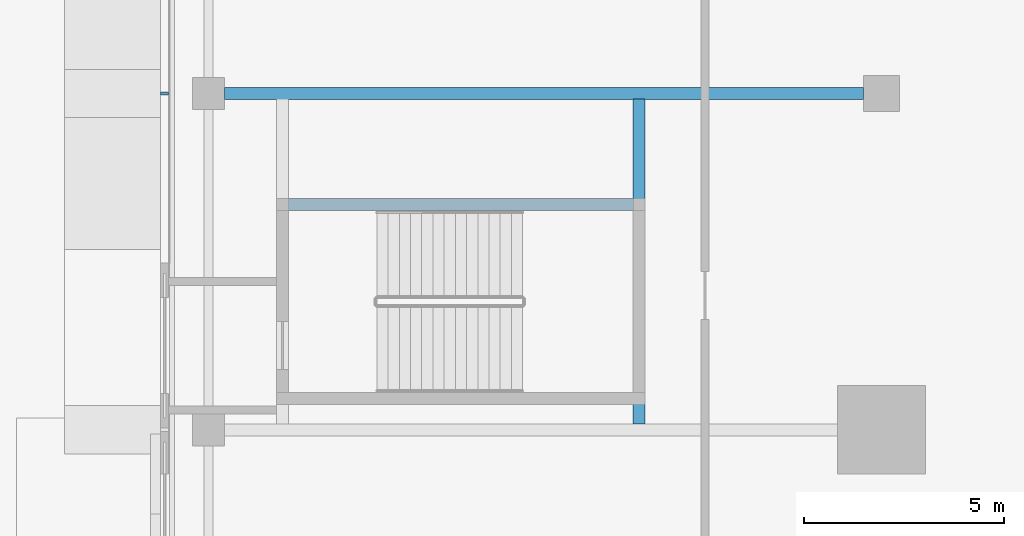
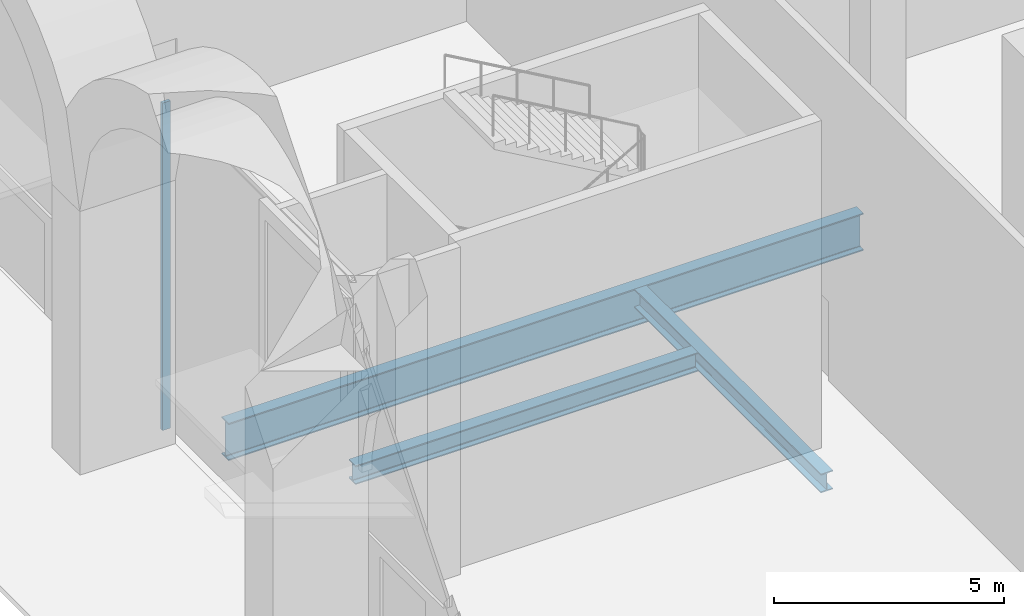
# One storey, part 5 of 43: 3 beams, 1 member, 1 element without a shape of its own.
"""IFC4 building model written with IfcOpenShell, lengths in metres."""

from ifc_helpers import new_model, si_unit, direction, frame, origin, origin_2d, place, context, subcontext, project, spatial, rectangle, i_section, extrude, material, material_profile, profile_set, type_object, element, aggregate, save


model = new_model("IFC4")

# Units and contexts
model_context = context("Model", 3, precision=1e-05, world=origin(), true_north=direction((0.0, 1.0)))
body_context = subcontext(model_context, "Body", "Model", "MODEL_VIEW")
ifc_project = project(units=[si_unit("LENGTHUNIT", "METRE"), si_unit("AREAUNIT", "SQUARE_METRE"), si_unit("VOLUMEUNIT", "CUBIC_METRE"), si_unit("PLANEANGLEUNIT", "RADIAN"), si_unit("MASSUNIT", "GRAM", prefix="KILO")], contexts=[model_context])

# Site, building, storey
site_placement = place(None, origin())
site = spatial("IfcSite", under=ifc_project, at=site_placement, CompositionType="ELEMENT")
building_placement = place(site_placement, origin())
building = spatial("IfcBuilding", under=site, at=building_placement, Name="Saffron Gate Tower", CompositionType="ELEMENT")
storey_placement = place(building_placement, origin())
storey = spatial("IfcBuildingStorey", under=building, at=storey_placement, Name="L00", CompositionType="ELEMENT", Elevation=0.0)

# Beams
ifc_material_1 = material(Name="Structural steel S355", Category="steel")
ifc_material_profile_1 = material_profile(ifc_material_1, i_section(OverallWidth=0.300048828125, OverallDepth=0.989990234375, WebThickness=0.0166015625, FlangeThickness=0.031005859375, FilletRadius=0.030029296875, at=origin_2d()))
ifc_profile_set_1 = profile_set([ifc_material_profile_1], Name="Structural steel S355")
beam_type_1 = type_object("IfcBeamType", Name="B21 HEA 1000", PredefinedType="BEAM", material=ifc_profile_set_1)
beam_1_placement = place(storey_placement, frame((33.39990234375, 48.60009765625, -0.794921875), z_axis=(1.0, 0.0, 0.0), x_axis=(0.0, 1.0, 0.0)))
element("IfcBeam", 1, at=beam_1_placement, inside=storey, type_object=beam_type_1, Name="B21 PODIUM RING GIRDER", PredefinedType="BEAM", context=body_context, shape_type="SweptSolid", body=[
    extrude(i_section(OverallWidth=0.300048828125, OverallDepth=0.989990234375, WebThickness=0.0166015625, FlangeThickness=0.031005859375, FilletRadius=0.030029296875, at=origin_2d()), origin(), (0.0, 0.0, 1.0), 15.9501953125),
])
ifc_material_profile_2 = material_profile(ifc_material_1, i_section(OverallWidth=0.300048828125, OverallDepth=0.5, WebThickness=0.014404296875, FlangeThickness=0.028076171875, FilletRadius=0.027099609375, at=origin_2d()))
ifc_profile_set_2 = profile_set([ifc_material_profile_2], Name="Structural steel S355")
beam_type_2 = type_object("IfcBeamType", Name="B9 HEB 500", PredefinedType="BEAM", material=ifc_profile_set_2)
beam_2_placement = place(storey_placement, frame((43.75, 40.340087890625, -0.550048828125), z_axis=(0.0, 1.0, 0.0), x_axis=(-1.0, 0.0, 0.0)))
element("IfcBeam", 2, at=beam_2_placement, inside=storey, type_object=beam_type_2, Name="B9 STAIR ENCLOSURE HEADER BEAM", PredefinedType="BEAM", context=body_context, shape_type="SweptSolid", body=[
    extrude(i_section(OverallWidth=0.300048828125, OverallDepth=0.5, WebThickness=0.014404296875, FlangeThickness=0.028076171875, FilletRadius=0.027099609375, at=origin_2d()), origin(), (0.0, 0.0, 1.0), 8.119873046875),
])
beam_3_placement = place(storey_placement, frame((34.989990234375, 45.824951171875, -0.550048828125), z_axis=(1.0, 0.0, 0.0), x_axis=(0.0, 1.0, 0.0)))
element("IfcBeam", 3, at=beam_3_placement, inside=storey, type_object=beam_type_2, Name="B9 STAIR ENCLOSURE TRIMMER BEAM", PredefinedType="BEAM", context=body_context, shape_type="SweptSolid", body=[
    extrude(i_section(OverallWidth=0.300048828125, OverallDepth=0.5, WebThickness=0.014404296875, FlangeThickness=0.028076171875, FilletRadius=0.027099609375, at=origin_2d()), origin(), (0.0, 0.0, 1.0), 8.6201171875),
])

# Curtain wall, member
ifc_material_2 = material(Name="Aluminium, bronze anodised", Category="aluminium")
curtain_wall_type = type_object("IfcCurtainWallType", Name="CWS5 curtain wall podium ring base", PredefinedType="NOTDEFINED", material=ifc_material_2)
curtain_wall_placement = place(storey_placement, origin())
curtain_wall = element("IfcCurtainWall", 4, at=curtain_wall_placement, inside=storey, type_object=curtain_wall_type, Name="CWS5 run 4", PredefinedType="NOTDEFINED")
ifc_material_profile_3 = material_profile(ifc_material_2, rectangle(XDim=0.199951171875, YDim=0.080078125, at=origin_2d()))
ifc_profile_set_3 = profile_set([ifc_material_profile_3], Name="Aluminium, bronze anodised")
member_type = type_object("IfcMemberType", Name="CWS5 mullion 80x200", PredefinedType="MULLION", material=ifc_profile_set_3)
member_placement = place(storey_placement, frame((31.89990234375, 48.60009765625, 0.0), z_axis=(0.0, 0.0, 1.0), x_axis=(1.0, 0.0, 0.0)))
member = element("IfcMember", 5, at=member_placement, type_object=member_type, Name="CWS5 mullion 6", PredefinedType="MULLION", context=body_context, shape_type="SweptSolid", body=[
    extrude(rectangle(XDim=0.199951171875, YDim=0.080078125, at=origin_2d()), origin(), (0.0, 0.0, 1.0), 8.699951171875),
])
aggregate(curtain_wall, [member])

save(model, "model.ifc")
